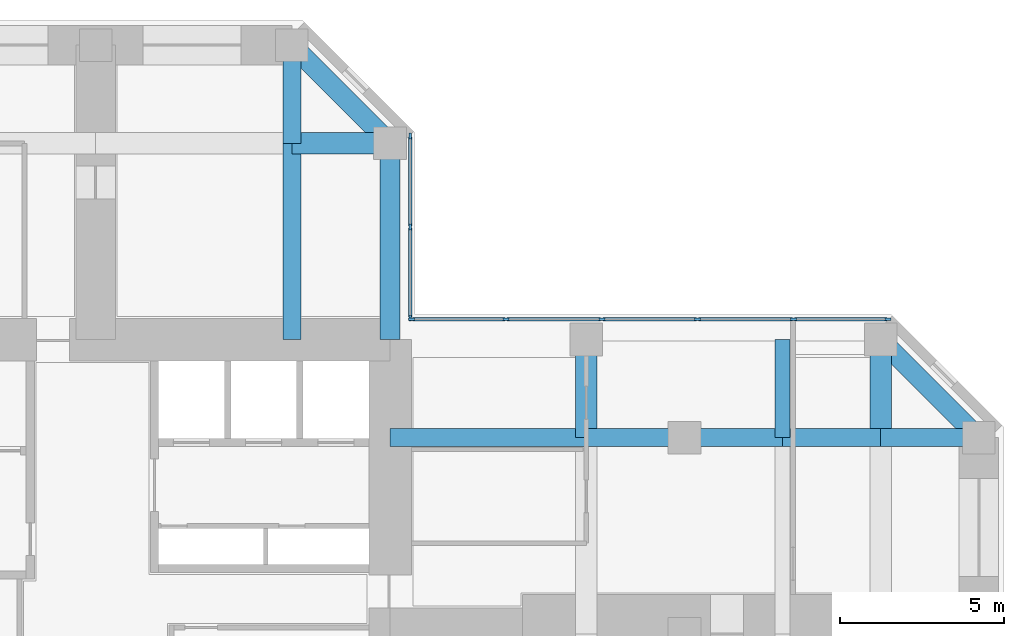
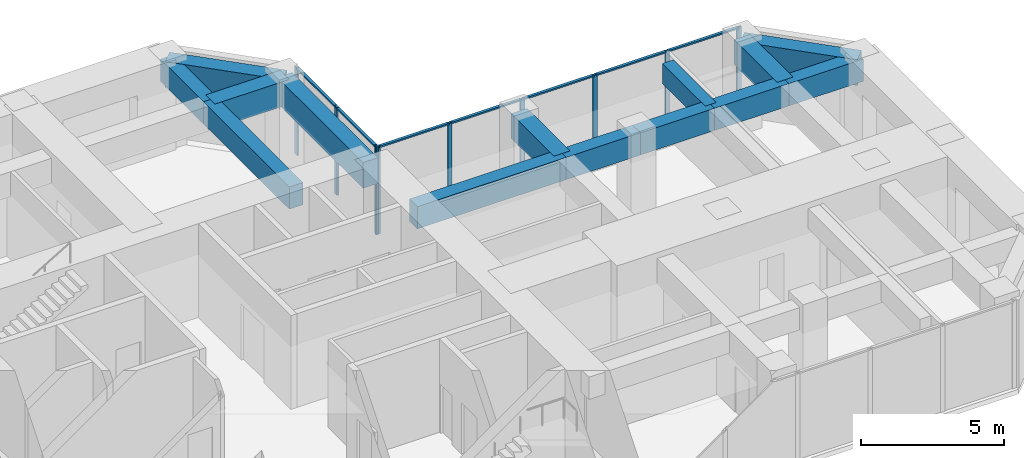
# One storey, part 6 of 13: 16 members, 14 beams, 2 elements without a shape of their own.
"""IFC4 building model written with IfcOpenShell, lengths in metres."""

from ifc_helpers import new_model, si_unit, direction, frame, origin, origin_2d, place, context, subcontext, project, spatial, rectangle, extrude, material, material_profile, profile_set, type_object, element, aggregate, save


model = new_model("IFC4")

# Units and contexts
model_context = context("Model", 3, precision=1e-05, world=origin(), true_north=direction((0.0, 1.0)))
body_context = subcontext(model_context, "Body", "Model", "MODEL_VIEW")
ifc_project = project(units=[si_unit("LENGTHUNIT", "METRE"), si_unit("AREAUNIT", "SQUARE_METRE"), si_unit("VOLUMEUNIT", "CUBIC_METRE"), si_unit("PLANEANGLEUNIT", "RADIAN"), si_unit("MASSUNIT", "GRAM", prefix="KILO")], contexts=[model_context])

# Site, building, storey
site_placement = place(None, origin())
site = spatial("IfcSite", under=ifc_project, at=site_placement, CompositionType="ELEMENT")
building_placement = place(site_placement, origin())
building = spatial("IfcBuilding", under=site, at=building_placement, Name="Torre Cruceta", CompositionType="ELEMENT")
storey_placement = place(building_placement, frame((0.0, 0.0, 160.5)))
storey = spatial("IfcBuildingStorey", under=building, at=storey_placement, Name="L39", CompositionType="ELEMENT", Elevation=160.5)

# Beams
ifc_material_1 = material(Name="Concrete G60 (fck 60 MPa)", Category="concrete")
ifc_material_profile_1 = material_profile(ifc_material_1, rectangle(XDim=0.550048828125, YDim=0.949951171875, at=origin_2d()), Name="RC 550X950")
ifc_profile_set_1 = profile_set([ifc_material_profile_1], Name="Concrete G60 (fck 60 MPa)")
beam_type_1 = type_object("IfcBeamType", Name="COLUMN LINE BEAM RC 550X950", PredefinedType="BEAM", material=ifc_profile_set_1)
beam_1_placement = place(storey_placement, frame((6.0, 9.0, 3.27490234375), z_axis=(0.0, 1.0, 0.0), x_axis=(-1.0, 0.0, 0.0)))
element("IfcBeam", 1, at=beam_1_placement, inside=storey, type_object=beam_type_1, Name="LB3 L39 N col- 1", PredefinedType="BEAM", context=body_context, shape_type="SweptSolid", body=[
    extrude(rectangle(XDim=0.550048828125, YDim=0.949951171875, at=origin_2d()), origin(), (0.0, 0.0, 1.0), 6.0),
])
beam_2_placement = place(storey_placement, frame((6.0, 15.0, 3.27490234375), z_axis=(0.0, 1.0, 0.0), x_axis=(-1.0, 0.0, 0.0)))
element("IfcBeam", 2, at=beam_2_placement, inside=storey, type_object=beam_type_1, Name="LB3 L39 N col- 2", PredefinedType="BEAM", context=body_context, shape_type="SweptSolid", body=[
    extrude(rectangle(XDim=0.550048828125, YDim=0.949951171875, at=origin_2d()), origin(), (0.0, 0.0, 1.0), 3.0),
])
beam_3_placement = place(storey_placement, frame((9.0, 6.0, 3.27490234375), z_axis=(1.0, 0.0, 0.0), x_axis=(0.0, 1.0, 0.0)))
element("IfcBeam", 3, at=beam_3_placement, inside=storey, type_object=beam_type_1, Name="LB3 L39 E col+ 1", PredefinedType="BEAM", context=body_context, shape_type="SweptSolid", body=[
    extrude(rectangle(XDim=0.550048828125, YDim=0.949951171875, at=origin_2d()), origin(), (0.0, 0.0, 1.0), 6.0),
])
for number, where, z_axis, x_axis, name in (
    (4, (15.0, 6.0, 3.27490234375), (1.0, 0.0, 0.0), (0.0, 1.0, 0.0), "LB3 L39 E col+ 2"),
    (5, (18.0, 6.0, 3.27490234375), (1.0, 0.0, 0.0), (0.0, 1.0, 0.0), "LB3 L39 E col+ 3"),
    (6, (21.0, 6.0, 3.27490234375), (1.0, 0.0, 0.0), (0.0, 1.0, 0.0), "LB3 L39 E col+ 4"),
    (7, (24.0, 6.0, 3.27490234375), (1.0, 0.0, 0.0), (0.0, 1.0, 0.0), "LB3 L39 E col+ 5"),
):
    element("IfcBeam", number, at=place(storey_placement, frame(where, z_axis=z_axis, x_axis=x_axis)), inside=storey, type_object=beam_type_1, Name=name, PredefinedType="BEAM", context=body_context, shape_type="SweptSolid", body=[
        extrude(rectangle(XDim=0.550048828125, YDim=0.949951171875, at=origin_2d()), origin(), (0.0, 0.0, 1.0), 3.0),
    ])
ifc_material_2 = material(Name="Concrete G60 (fck 60 MPa)", Category="concrete")
ifc_material_profile_2 = material_profile(ifc_material_2, rectangle(XDim=0.64990234375, YDim=1.050048828125, at=origin_2d()), Name="RC 650X1050")
ifc_profile_set_2 = profile_set([ifc_material_profile_2], Name="Concrete G60 (fck 60 MPa)")
beam_type_2 = type_object("IfcBeamType", Name="CROSS BEAM RC 650X1050", PredefinedType="BEAM", material=ifc_profile_set_2)
for number, where, z_axis, x_axis, name in (
    (8, (9.0, 15.0, 3.22509765625), (-1.0, 0.0, 0.0), (0.0, -1.0, 0.0), "GB3 L39 N cross15 1"),
    (9, (15.0, 6.0, 3.22509765625), (0.0, 1.0, 0.0), (-1.0, 0.0, 0.0), "GB3 L39 E cross15 4"),
    (10, (24.0, 6.0, 3.22509765625), (0.0, 1.0, 0.0), (-1.0, 0.0, 0.0), "GB3 L39 E cross24 4"),
):
    element("IfcBeam", number, at=place(storey_placement, frame(where, z_axis=z_axis, x_axis=x_axis)), inside=storey, type_object=beam_type_2, Name=name, PredefinedType="BEAM", context=body_context, shape_type="SweptSolid", body=[
        extrude(rectangle(XDim=0.64990234375, YDim=1.050048828125, at=origin_2d()), origin(), (0.0, 0.0, 1.0), 3.0),
    ])

# Curtain wall, members
ifc_material_3 = material(Name="Aluminium unitised curtain wall", Category="aluminium")
curtain_wall_type = type_object("IfcCurtainWallType", Name="CURTAIN WALL CW-B OFFICE MID RISE", PredefinedType="USERDEFINED", material=ifc_material_3)
curtain_wall_1_placement = place(storey_placement, origin())
curtain_wall_1 = element("IfcCurtainWall", 11, at=curtain_wall_1_placement, inside=storey, type_object=curtain_wall_type, Name="CW-B L39 E side 04", ObjectType="UNITISED", PredefinedType="USERDEFINED")
ifc_material_4 = material(Name="Aluminium mullion", Category="aluminium")
ifc_material_profile_3 = material_profile(ifc_material_4, rectangle(XDim=0.06494140625, YDim=0.179931640625, at=origin_2d()), Name="AL 65X180")
ifc_profile_set_3 = profile_set([ifc_material_profile_3], Name="Aluminium mullion")
member_type_1 = type_object("IfcMemberType", Name="CW-B MULLION 65X180", PredefinedType="MULLION", material=ifc_profile_set_3)
member_1_placement = place(storey_placement, frame((24.224365234375, 9.6201171875, 0.0), z_axis=(0.0, 0.0, 1.0), x_axis=(0.0, -1.0, 0.0)))
member_1 = element("IfcMember", 12, at=member_1_placement, type_object=member_type_1, Name="CW-B mullion 1", PredefinedType="MULLION", context=body_context, shape_type="SweptSolid", body=[
    extrude(rectangle(XDim=0.06494140625, YDim=0.179931640625, at=origin_2d()), origin(), (0.0, 0.0, 1.0), 3.75),
])
member_2_placement = place(storey_placement, frame((21.329345703125, 9.6201171875, 0.0), z_axis=(0.0, 0.0, 1.0), x_axis=(0.0, -1.0, 0.0)))
member_2 = element("IfcMember", 13, at=member_2_placement, type_object=member_type_1, Name="CW-B mullion 2", PredefinedType="MULLION", context=body_context, shape_type="SweptSolid", body=[
    extrude(rectangle(XDim=0.06494140625, YDim=0.179931640625, at=origin_2d()), origin(), (0.0, 0.0, 1.0), 3.75),
])
member_3_placement = place(storey_placement, frame((18.402099609375, 9.6201171875, 0.0), z_axis=(0.0, 0.0, 1.0), x_axis=(0.0, -1.0, 0.0)))
member_3 = element("IfcMember", 14, at=member_3_placement, type_object=member_type_1, Name="CW-B mullion 3", PredefinedType="MULLION", context=body_context, shape_type="SweptSolid", body=[
    extrude(rectangle(XDim=0.06494140625, YDim=0.179931640625, at=origin_2d()), origin(), (0.0, 0.0, 1.0), 3.75),
])
member_4_placement = place(storey_placement, frame((15.474609375, 9.6201171875, 0.0), z_axis=(0.0, 0.0, 1.0), x_axis=(0.0, -1.0, 0.0)))
member_4 = element("IfcMember", 15, at=member_4_placement, type_object=member_type_1, Name="CW-B mullion 4", PredefinedType="MULLION", context=body_context, shape_type="SweptSolid", body=[
    extrude(rectangle(XDim=0.06494140625, YDim=0.179931640625, at=origin_2d()), origin(), (0.0, 0.0, 1.0), 3.75),
])
member_5_placement = place(storey_placement, frame((12.54736328125, 9.6201171875, 0.0), z_axis=(0.0, 0.0, 1.0), x_axis=(0.0, -1.0, 0.0)))
member_5 = element("IfcMember", 16, at=member_5_placement, type_object=member_type_1, Name="CW-B mullion 5", PredefinedType="MULLION", context=body_context, shape_type="SweptSolid", body=[
    extrude(rectangle(XDim=0.06494140625, YDim=0.179931640625, at=origin_2d()), origin(), (0.0, 0.0, 1.0), 3.75),
])
member_6_placement = place(storey_placement, frame((9.652587890625, 9.6201171875, 0.0), z_axis=(0.0, 0.0, 1.0), x_axis=(0.0, -1.0, 0.0)))
member_6 = element("IfcMember", 17, at=member_6_placement, type_object=member_type_1, Name="CW-B mullion 6", PredefinedType="MULLION", context=body_context, shape_type="SweptSolid", body=[
    extrude(rectangle(XDim=0.06494140625, YDim=0.179931640625, at=origin_2d()), origin(), (0.0, 0.0, 1.0), 3.75),
])

curtain_wall_2_placement = place(storey_placement, origin())
curtain_wall_2 = element("IfcCurtainWall", 18, at=curtain_wall_2_placement, inside=storey, type_object=curtain_wall_type, Name="CW-B L39 N side 05", ObjectType="UNITISED", PredefinedType="USERDEFINED")
member_7_placement = place(storey_placement, frame((9.6201171875, 9.652587890625, 0.0), z_axis=(0.0, 0.0, 1.0), x_axis=(-1.0, 0.0, 0.0)))
member_7 = element("IfcMember", 19, at=member_7_placement, type_object=member_type_1, Name="CW-B mullion 1", PredefinedType="MULLION", context=body_context, shape_type="SweptSolid", body=[
    extrude(rectangle(XDim=0.06494140625, YDim=0.179931640625, at=origin_2d()), origin(), (0.0, 0.0, 1.0), 3.75),
])
member_8_placement = place(storey_placement, frame((9.6201171875, 12.4384765625, 0.0), z_axis=(0.0, 0.0, 1.0), x_axis=(-1.0, 0.0, 0.0)))
member_8 = element("IfcMember", 20, at=member_8_placement, type_object=member_type_1, Name="CW-B mullion 2", PredefinedType="MULLION", context=body_context, shape_type="SweptSolid", body=[
    extrude(rectangle(XDim=0.06494140625, YDim=0.179931640625, at=origin_2d()), origin(), (0.0, 0.0, 1.0), 3.75),
])
member_9_placement = place(storey_placement, frame((9.6201171875, 15.224365234375, 0.0), z_axis=(0.0, 0.0, 1.0), x_axis=(-1.0, 0.0, 0.0)))
member_9 = element("IfcMember", 21, at=member_9_placement, type_object=member_type_1, Name="CW-B mullion 3", PredefinedType="MULLION", context=body_context, shape_type="SweptSolid", body=[
    extrude(rectangle(XDim=0.06494140625, YDim=0.179931640625, at=origin_2d()), origin(), (0.0, 0.0, 1.0), 3.75),
])

# Member
ifc_material_5 = material(Name="Aluminium transom", Category="aluminium")
ifc_material_profile_4 = material_profile(ifc_material_5, rectangle(XDim=0.110107421875, YDim=0.06494140625, at=origin_2d()), Name="AL 110X65")
ifc_profile_set_4 = profile_set([ifc_material_profile_4], Name="Aluminium transom")
member_type_2 = type_object("IfcMemberType", Name="CW-B TRANSOM 65X110", PredefinedType="USERDEFINED", material=ifc_profile_set_4)
member_10_placement = place(storey_placement, frame((24.19189453125, 9.6201171875, 3.717529296875), z_axis=(-1.0, 0.0, 0.0), x_axis=(0.0, -1.0, 0.0)))
member_10 = element("IfcMember", 22, at=member_10_placement, type_object=member_type_2, Name="CW-B transom 1", ObjectType="TRANSOM", PredefinedType="USERDEFINED", context=body_context, shape_type="SweptSolid", body=[
    extrude(rectangle(XDim=0.110107421875, YDim=0.06494140625, at=origin_2d()), origin(), (0.0, 0.0, 1.0), 2.829833984375),
])

member_11_placement = place(storey_placement, frame((21.296875, 9.6201171875, 3.717529296875), z_axis=(-1.0, 0.0, 0.0), x_axis=(0.0, -1.0, 0.0)))
member_11 = element("IfcMember", 23, at=member_11_placement, type_object=member_type_2, Name="CW-B transom 2", ObjectType="TRANSOM", PredefinedType="USERDEFINED", context=body_context, shape_type="SweptSolid", body=[
    extrude(rectangle(XDim=0.110107421875, YDim=0.06494140625, at=origin_2d()), origin(), (0.0, 0.0, 1.0), 2.8623046875),
])

member_12_placement = place(storey_placement, frame((18.36962890625, 9.6201171875, 3.717529296875), z_axis=(-1.0, 0.0, 0.0), x_axis=(0.0, -1.0, 0.0)))
member_12 = element("IfcMember", 24, at=member_12_placement, type_object=member_type_2, Name="CW-B transom 3", ObjectType="TRANSOM", PredefinedType="USERDEFINED", context=body_context, shape_type="SweptSolid", body=[
    extrude(rectangle(XDim=0.110107421875, YDim=0.06494140625, at=origin_2d()), origin(), (0.0, 0.0, 1.0), 2.8623046875),
])

member_13_placement = place(storey_placement, frame((15.442138671875, 9.6201171875, 3.717529296875), z_axis=(-1.0, 0.0, 0.0), x_axis=(0.0, -1.0, 0.0)))
member_13 = element("IfcMember", 25, at=member_13_placement, type_object=member_type_2, Name="CW-B transom 4", ObjectType="TRANSOM", PredefinedType="USERDEFINED", context=body_context, shape_type="SweptSolid", body=[
    extrude(rectangle(XDim=0.110107421875, YDim=0.06494140625, at=origin_2d()), origin(), (0.0, 0.0, 1.0), 2.8623046875),
])

member_14_placement = place(storey_placement, frame((12.514892578125, 9.6201171875, 3.717529296875), z_axis=(-1.0, 0.0, 0.0), x_axis=(0.0, -1.0, 0.0)))
member_14 = element("IfcMember", 26, at=member_14_placement, type_object=member_type_2, Name="CW-B transom 5", ObjectType="TRANSOM", PredefinedType="USERDEFINED", context=body_context, shape_type="SweptSolid", body=[
    extrude(rectangle(XDim=0.110107421875, YDim=0.06494140625, at=origin_2d()), origin(), (0.0, 0.0, 1.0), 2.829833984375),
])

aggregate(curtain_wall_1, [member_1, member_2, member_3, member_4, member_5, member_6, member_10, member_11, member_12, member_13, member_14])

member_15_placement = place(storey_placement, frame((9.6201171875, 9.68505859375, 3.717529296875), z_axis=(0.0, 1.0, 0.0), x_axis=(-1.0, 0.0, 0.0)))
member_15 = element("IfcMember", 27, at=member_15_placement, type_object=member_type_2, Name="CW-B transom 1", ObjectType="TRANSOM", PredefinedType="USERDEFINED", context=body_context, shape_type="SweptSolid", body=[
    extrude(rectangle(XDim=0.110107421875, YDim=0.06494140625, at=origin_2d()), origin(), (0.0, 0.0, 1.0), 2.720947265625),
])

member_16_placement = place(storey_placement, frame((9.6201171875, 12.470947265625, 3.717529296875), z_axis=(0.0, 1.0, 0.0), x_axis=(-1.0, 0.0, 0.0)))
member_16 = element("IfcMember", 28, at=member_16_placement, type_object=member_type_2, Name="CW-B transom 2", ObjectType="TRANSOM", PredefinedType="USERDEFINED", context=body_context, shape_type="SweptSolid", body=[
    extrude(rectangle(XDim=0.110107421875, YDim=0.06494140625, at=origin_2d()), origin(), (0.0, 0.0, 1.0), 2.720947265625),
])

aggregate(curtain_wall_2, [member_7, member_8, member_9, member_15, member_16])

# Beams
ifc_material_6 = material(Name="Concrete G60 (fck 60 MPa)", Category="concrete")
ifc_material_profile_5 = material_profile(ifc_material_6, rectangle(XDim=0.449951171875, YDim=0.85009765625, at=origin_2d()), Name="RC 450X850")
ifc_profile_set_5 = profile_set([ifc_material_profile_5], Name="Concrete G60 (fck 60 MPa)")
beam_type_3 = type_object("IfcBeamType", Name="SECONDARY BEAM RC 450X850", PredefinedType="JOIST", material=ifc_profile_set_5)
beam_4_placement = place(storey_placement, frame((21.0, 6.0, 3.324951171875), z_axis=(0.0, 1.0, 0.0), x_axis=(-1.0, 0.0, 0.0)))
element("IfcBeam", 29, at=beam_4_placement, inside=storey, type_object=beam_type_3, Name="JB4 L39 E sec21 4", PredefinedType="JOIST", context=body_context, shape_type="SweptSolid", body=[
    extrude(rectangle(XDim=0.449951171875, YDim=0.85009765625, at=origin_2d()), origin(), (0.0, 0.0, 1.0), 3.0),
])
ifc_material_7 = material(Name="Concrete G60 (fck 60 MPa)", Category="concrete")
ifc_material_profile_6 = material_profile(ifc_material_7, rectangle(XDim=0.60009765625, YDim=1.10009765625, at=origin_2d()), Name="RC 600X1100")
ifc_profile_set_6 = profile_set([ifc_material_profile_6], Name="Concrete G60 (fck 60 MPa)")
beam_type_4 = type_object("IfcBeamType", Name="SPANDREL BEAM RC 600X1100", PredefinedType="SPANDREL", material=ifc_profile_set_6)
beam_5_placement = place(storey_placement, frame((9.0, 9.0, 3.199951171875), z_axis=(0.0, 1.0, 0.0), x_axis=(-1.0, 0.0, 0.0)))
element("IfcBeam", 30, at=beam_5_placement, inside=storey, type_object=beam_type_4, Name="SB2 L39 N side- 1", PredefinedType="SPANDREL", context=body_context, shape_type="SweptSolid", body=[
    extrude(rectangle(XDim=0.60009765625, YDim=1.10009765625, at=origin_2d()), origin(), (0.0, 0.0, 1.0), 6.0),
])
for number, where, z_axis, x_axis, name in (
    (31, (9.0, 15.0, 3.199951171875), (-0.707106781187, 0.707106781187, 0.0), (-0.707106781187, -0.707106781187, 0.0), "SB2 L39 N side- 2"),
    (32, (24.0, 9.0, 3.199951171875), (0.707106781187, -0.707106781187, 0.0), (0.707106781187, 0.707106781187, 0.0), "SB2 L39 E side+ 5"),
):
    element("IfcBeam", number, at=place(storey_placement, frame(where, z_axis=z_axis, x_axis=x_axis)), inside=storey, type_object=beam_type_4, Name=name, PredefinedType="SPANDREL", context=body_context, shape_type="SweptSolid", body=[
        extrude(rectangle(XDim=0.60009765625, YDim=1.10009765625, at=origin_2d()), origin(), (0.0, 0.0, 1.0), 4.24267578125),
    ])

save(model, "model.ifc")
